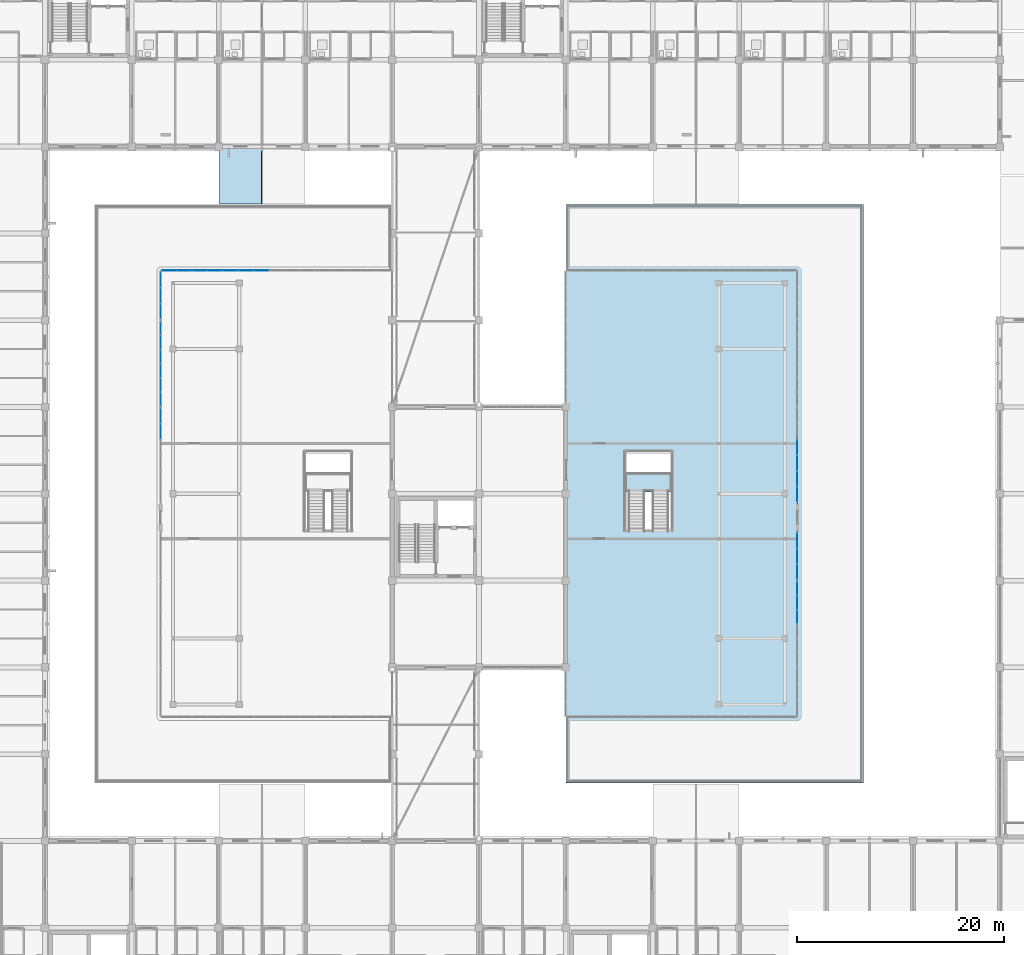
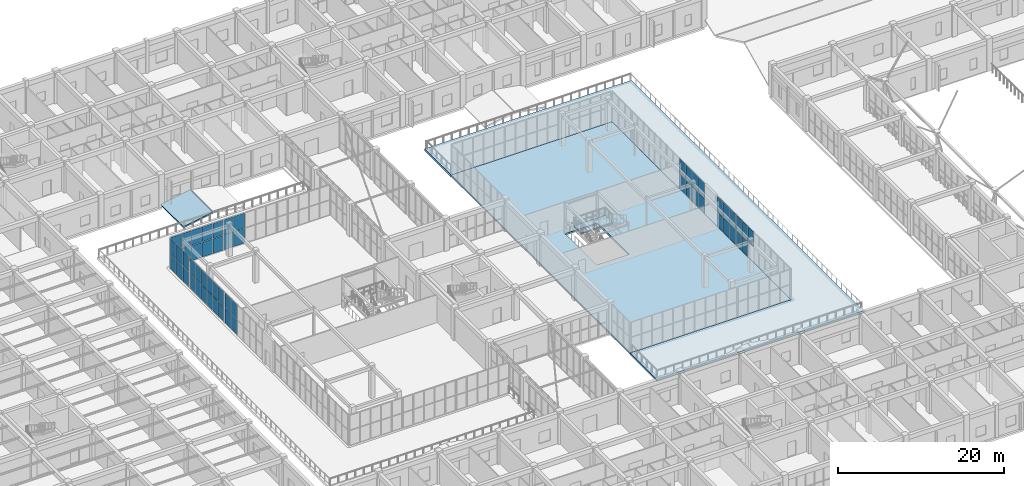
# One storey, part 106 of 158: 55 plates, 4 slabs, 9 elements without a shape of their own.
"""IFC4 building model written with IfcOpenShell, lengths in metres."""

from ifc_helpers import new_model, si_unit, direction, frame, origin, origin_2d, place, context, subcontext, project, spatial, polyline, rectangle, outline, extrude, material, layer, layer_set, type_object, element, aggregate, save


model = new_model("IFC4")

# Units and contexts
model_context = context("Model", 3, precision=1e-05, world=origin(), true_north=direction((0.0, 1.0)))
body_context = subcontext(model_context, "Body", "Model", "MODEL_VIEW")
ifc_project = project(units=[si_unit("LENGTHUNIT", "METRE"), si_unit("AREAUNIT", "SQUARE_METRE"), si_unit("VOLUMEUNIT", "CUBIC_METRE"), si_unit("PLANEANGLEUNIT", "RADIAN"), si_unit("MASSUNIT", "GRAM", prefix="KILO")], contexts=[model_context])

# Site, building, storey
site_placement = place(None, origin())
site = spatial("IfcSite", under=ifc_project, at=site_placement, CompositionType="ELEMENT")
building_placement = place(site_placement, origin())
building = spatial("IfcBuilding", under=site, at=building_placement, Name="Trelvath General Hospital", CompositionType="ELEMENT")
storey_placement = place(building_placement, frame((0.0, 0.0, 8.10009765625)))
storey = spatial("IfcBuildingStorey", under=building, at=storey_placement, Name="L02", CompositionType="ELEMENT", Elevation=8.10009765625)

# Curtain wall, plates
ifc_material_1 = material(Name="Anodised aluminium and low-E glass", Category="aluminium")
ifc_layer_1 = layer(ifc_material_1, 0.139892578125)
ifc_layer_set_1 = layer_set([ifc_layer_1], Name="Anodised aluminium and low-E glass")
curtain_wall_type_1 = type_object("IfcCurtainWallType", Name="CW CrystalCube 737 456 14", PredefinedType="USERDEFINED", material=ifc_layer_set_1)
curtain_wall_1_placement = place(storey_placement, origin())
curtain_wall_1 = element("IfcCurtainWall", 1, at=curtain_wall_1_placement, inside=storey, type_object=curtain_wall_type_1, Name="Crystal Cube Curtain Wall CUBE-W-T1 N1 L02", ObjectType="Unitised Glazed Curtain Wall", PredefinedType="USERDEFINED")
ifc_material_2 = material(Name="Low-E laminated glass", Category="glass")
ifc_layer_2 = layer(ifc_material_2, 0.028076171875)
ifc_layer_set_2 = layer_set([ifc_layer_2], Name="Low-E laminated glass")
plate_type = type_object("IfcPlateType", Name="CurtainPanel Glass28", PredefinedType="CURTAIN_PANEL", material=ifc_layer_set_2)
plate_1_placement = place(storey_placement, frame((54.03173828125, 80.39990234375, 0.059814453125), z_axis=(0.0, 0.0, 1.0), x_axis=(1.0, 0.0, 0.0)))
plate_1 = element("IfcPlate", 2, at=plate_1_placement, type_object=plate_type, Name="CW-193 panel 1.1", PredefinedType="CURTAIN_PANEL", context=body_context, shape_type="SweptSolid", body=[
    extrude(rectangle(XDim=1.38330078125, YDim=0.028076171875, at=origin_2d()), origin(), (0.0, 0.0, 1.0), 2.18994140625),
])
plate_2_placement = place(storey_placement, frame((54.03173828125, 80.39990234375, 2.309814453125), z_axis=(0.0, 0.0, 1.0), x_axis=(1.0, 0.0, 0.0)))
plate_2 = element("IfcPlate", 3, at=plate_2_placement, type_object=plate_type, Name="CW-193 panel 1.2", PredefinedType="CURTAIN_PANEL", context=body_context, shape_type="SweptSolid", body=[
    extrude(rectangle(XDim=1.38330078125, YDim=0.028076171875, at=origin_2d()), origin(), (0.0, 0.0, 1.0), 2.18994140625),
])
plate_3_placement = place(storey_placement, frame((55.489990234375, 80.39990234375, 0.059814453125), z_axis=(0.0, 0.0, 1.0), x_axis=(1.0, 0.0, 0.0)))
plate_3 = element("IfcPlate", 4, at=plate_3_placement, type_object=plate_type, Name="CW-193 panel 2.1", PredefinedType="CURTAIN_PANEL", context=body_context, shape_type="SweptSolid", body=[
    extrude(rectangle(XDim=1.413330078125, YDim=0.028076171875, at=origin_2d()), origin(), (0.0, 0.0, 1.0), 2.18994140625),
])
plate_4_placement = place(storey_placement, frame((55.489990234375, 80.39990234375, 2.309814453125), z_axis=(0.0, 0.0, 1.0), x_axis=(1.0, 0.0, 0.0)))
plate_4 = element("IfcPlate", 5, at=plate_4_placement, type_object=plate_type, Name="CW-193 panel 2.2", PredefinedType="CURTAIN_PANEL", context=body_context, shape_type="SweptSolid", body=[
    extrude(rectangle(XDim=1.413330078125, YDim=0.028076171875, at=origin_2d()), origin(), (0.0, 0.0, 1.0), 2.18994140625),
])
plate_5_placement = place(storey_placement, frame((56.96337890625, 80.39990234375, 0.059814453125), z_axis=(0.0, 0.0, 1.0), x_axis=(1.0, 0.0, 0.0)))
plate_5 = element("IfcPlate", 6, at=plate_5_placement, type_object=plate_type, Name="CW-193 panel 3.1", PredefinedType="CURTAIN_PANEL", context=body_context, shape_type="SweptSolid", body=[
    extrude(rectangle(XDim=1.413330078125, YDim=0.028076171875, at=origin_2d()), origin(), (0.0, 0.0, 1.0), 2.18994140625),
])
plate_6_placement = place(storey_placement, frame((56.96337890625, 80.39990234375, 2.309814453125), z_axis=(0.0, 0.0, 1.0), x_axis=(1.0, 0.0, 0.0)))
plate_6 = element("IfcPlate", 7, at=plate_6_placement, type_object=plate_type, Name="CW-193 panel 3.2", PredefinedType="CURTAIN_PANEL", context=body_context, shape_type="SweptSolid", body=[
    extrude(rectangle(XDim=1.413330078125, YDim=0.028076171875, at=origin_2d()), origin(), (0.0, 0.0, 1.0), 2.18994140625),
])
plate_7_placement = place(storey_placement, frame((58.436767578125, 80.39990234375, 0.059814453125), z_axis=(0.0, 0.0, 1.0), x_axis=(1.0, 0.0, 0.0)))
plate_7 = element("IfcPlate", 8, at=plate_7_placement, type_object=plate_type, Name="CW-193 panel 4.1", PredefinedType="CURTAIN_PANEL", context=body_context, shape_type="SweptSolid", body=[
    extrude(rectangle(XDim=1.413330078125, YDim=0.028076171875, at=origin_2d()), origin(), (0.0, 0.0, 1.0), 2.18994140625),
])
plate_8_placement = place(storey_placement, frame((58.436767578125, 80.39990234375, 2.309814453125), z_axis=(0.0, 0.0, 1.0), x_axis=(1.0, 0.0, 0.0)))
plate_8 = element("IfcPlate", 9, at=plate_8_placement, type_object=plate_type, Name="CW-193 panel 4.2", PredefinedType="CURTAIN_PANEL", context=body_context, shape_type="SweptSolid", body=[
    extrude(rectangle(XDim=1.413330078125, YDim=0.028076171875, at=origin_2d()), origin(), (0.0, 0.0, 1.0), 2.18994140625),
])
plate_9_placement = place(storey_placement, frame((59.89501953125, 80.39990234375, 0.059814453125), z_axis=(0.0, 0.0, 1.0), x_axis=(1.0, 0.0, 0.0)))
plate_9 = element("IfcPlate", 10, at=plate_9_placement, type_object=plate_type, Name="CW-193 panel 5.1", PredefinedType="CURTAIN_PANEL", context=body_context, shape_type="SweptSolid", body=[
    extrude(rectangle(XDim=1.38330078125, YDim=0.028076171875, at=origin_2d()), origin(), (0.0, 0.0, 1.0), 2.18994140625),
])
plate_10_placement = place(storey_placement, frame((59.89501953125, 80.39990234375, 2.309814453125), z_axis=(0.0, 0.0, 1.0), x_axis=(1.0, 0.0, 0.0)))
plate_10 = element("IfcPlate", 11, at=plate_10_placement, type_object=plate_type, Name="CW-193 panel 5.2", PredefinedType="CURTAIN_PANEL", context=body_context, shape_type="SweptSolid", body=[
    extrude(rectangle(XDim=1.38330078125, YDim=0.028076171875, at=origin_2d()), origin(), (0.0, 0.0, 1.0), 2.18994140625),
])
aggregate(curtain_wall_1, [plate_1, plate_2, plate_3, plate_4, plate_5, plate_6, plate_7, plate_8, plate_9, plate_10])

ifc_material_3 = material(Name="Anodised aluminium and low-E glass", Category="aluminium")
ifc_layer_3 = layer(ifc_material_3, 0.139892578125)
ifc_layer_set_3 = layer_set([ifc_layer_3], Name="Anodised aluminium and low-E glass")
curtain_wall_type_2 = type_object("IfcCurtainWallType", Name="CW CrystalCube 743 456 14", PredefinedType="USERDEFINED", material=ifc_layer_set_3)
curtain_wall_2_placement = place(storey_placement, origin())
curtain_wall_2 = element("IfcCurtainWall", 12, at=curtain_wall_2_placement, inside=storey, type_object=curtain_wall_type_2, Name="Crystal Cube Curtain Wall CUBE-W-T1 N2 L02", ObjectType="Unitised Glazed Curtain Wall", PredefinedType="USERDEFINED")
plate_11_placement = place(storey_placement, frame((61.4443359375, 80.39990234375, 0.059814453125), z_axis=(0.0, 0.0, 1.0), x_axis=(1.0, 0.0, 0.0)))
plate_11 = element("IfcPlate", 13, at=plate_11_placement, type_object=plate_type, Name="CW-194 panel 1.1", PredefinedType="CURTAIN_PANEL", context=body_context, shape_type="SweptSolid", body=[
    extrude(rectangle(XDim=1.395263671875, YDim=0.028076171875, at=origin_2d()), origin(), (0.0, 0.0, 1.0), 2.18994140625),
])
plate_12_placement = place(storey_placement, frame((61.4443359375, 80.39990234375, 2.309814453125), z_axis=(0.0, 0.0, 1.0), x_axis=(1.0, 0.0, 0.0)))
plate_12 = element("IfcPlate", 14, at=plate_12_placement, type_object=plate_type, Name="CW-194 panel 1.2", PredefinedType="CURTAIN_PANEL", context=body_context, shape_type="SweptSolid", body=[
    extrude(rectangle(XDim=1.395263671875, YDim=0.028076171875, at=origin_2d()), origin(), (0.0, 0.0, 1.0), 2.18994140625),
])
plate_13_placement = place(storey_placement, frame((62.914794921875, 80.39990234375, 0.059814453125), z_axis=(0.0, 0.0, 1.0), x_axis=(1.0, 0.0, 0.0)))
plate_13 = element("IfcPlate", 15, at=plate_13_placement, type_object=plate_type, Name="CW-194 panel 2.1", PredefinedType="CURTAIN_PANEL", context=body_context, shape_type="SweptSolid", body=[
    extrude(rectangle(XDim=1.42529296875, YDim=0.028076171875, at=origin_2d()), origin(), (0.0, 0.0, 1.0), 2.18994140625),
])
plate_14_placement = place(storey_placement, frame((62.914794921875, 80.39990234375, 2.309814453125), z_axis=(0.0, 0.0, 1.0), x_axis=(1.0, 0.0, 0.0)))
plate_14 = element("IfcPlate", 16, at=plate_14_placement, type_object=plate_type, Name="CW-194 panel 2.2", PredefinedType="CURTAIN_PANEL", context=body_context, shape_type="SweptSolid", body=[
    extrude(rectangle(XDim=1.42529296875, YDim=0.028076171875, at=origin_2d()), origin(), (0.0, 0.0, 1.0), 2.18994140625),
])
aggregate(curtain_wall_2, [plate_11, plate_12, plate_13, plate_14])

ifc_material_4 = material(Name="Anodised aluminium and low-E glass", Category="aluminium")
ifc_layer_4 = layer(ifc_material_4, 0.139892578125)
ifc_layer_set_4 = layer_set([ifc_layer_4], Name="Anodised aluminium and low-E glass")
curtain_wall_type_3 = type_object("IfcCurtainWallType", Name="CW CrystalCube 914 456 14", PredefinedType="USERDEFINED", material=ifc_layer_set_4)
curtain_wall_3_placement = place(storey_placement, origin())
curtain_wall_3 = element("IfcCurtainWall", 17, at=curtain_wall_3_placement, inside=storey, type_object=curtain_wall_type_3, Name="Crystal Cube Curtain Wall CUBE-W-T1 W5 L02", ObjectType="Unitised Glazed Curtain Wall", PredefinedType="USERDEFINED")
plate_15_placement = place(storey_placement, frame((53.199951171875, 64.8349609375, 0.059814453125), z_axis=(0.0, 0.0, 1.0), x_axis=(0.0, 1.0, 0.0)))
plate_15 = element("IfcPlate", 18, at=plate_15_placement, type_object=plate_type, Name="CW-200 panel 5.1", PredefinedType="CURTAIN_PANEL", context=body_context, shape_type="SweptSolid", body=[
    extrude(rectangle(XDim=1.46337890625, YDim=0.028076171875, at=origin_2d()), origin(), (0.0, 0.0, 1.0), 2.18994140625),
])
plate_16_placement = place(storey_placement, frame((53.199951171875, 64.8349609375, 2.309814453125), z_axis=(0.0, 0.0, 1.0), x_axis=(0.0, 1.0, 0.0)))
plate_16 = element("IfcPlate", 19, at=plate_16_placement, type_object=plate_type, Name="CW-200 panel 5.2", PredefinedType="CURTAIN_PANEL", context=body_context, shape_type="SweptSolid", body=[
    extrude(rectangle(XDim=1.46337890625, YDim=0.028076171875, at=origin_2d()), origin(), (0.0, 0.0, 1.0), 2.18994140625),
])
plate_17_placement = place(storey_placement, frame((53.199951171875, 66.34326171875, 0.059814453125), z_axis=(0.0, 0.0, 1.0), x_axis=(0.0, 1.0, 0.0)))
plate_17 = element("IfcPlate", 20, at=plate_17_placement, type_object=plate_type, Name="CW-200 panel 6.1", PredefinedType="CURTAIN_PANEL", context=body_context, shape_type="SweptSolid", body=[
    extrude(rectangle(XDim=1.433349609375, YDim=0.028076171875, at=origin_2d()), origin(), (0.0, 0.0, 1.0), 2.18994140625),
])
plate_18_placement = place(storey_placement, frame((53.199951171875, 66.34326171875, 2.309814453125), z_axis=(0.0, 0.0, 1.0), x_axis=(0.0, 1.0, 0.0)))
plate_18 = element("IfcPlate", 21, at=plate_18_placement, type_object=plate_type, Name="CW-200 panel 6.2", PredefinedType="CURTAIN_PANEL", context=body_context, shape_type="SweptSolid", body=[
    extrude(rectangle(XDim=1.433349609375, YDim=0.028076171875, at=origin_2d()), origin(), (0.0, 0.0, 1.0), 2.18994140625),
])
aggregate(curtain_wall_3, [plate_15, plate_16, plate_17, plate_18])

ifc_material_5 = material(Name="Anodised aluminium and low-E glass", Category="aluminium")
ifc_layer_5 = layer(ifc_material_5, 0.139892578125)
ifc_layer_set_5 = layer_set([ifc_layer_5], Name="Anodised aluminium and low-E glass")
curtain_wall_type_4 = type_object("IfcCurtainWallType", Name="CW CrystalCube 824 456 14", PredefinedType="USERDEFINED", material=ifc_layer_set_5)
curtain_wall_4_placement = place(storey_placement, origin())
curtain_wall_4 = element("IfcCurtainWall", 22, at=curtain_wall_4_placement, inside=storey, type_object=curtain_wall_type_4, Name="Crystal Cube Curtain Wall CUBE-W-T1 W6 L02", ObjectType="Unitised Glazed Curtain Wall", PredefinedType="USERDEFINED")
plate_19_placement = place(storey_placement, frame((53.199951171875, 67.981689453125, 0.059814453125), z_axis=(0.0, 0.0, 1.0), x_axis=(0.0, 1.0, 0.0)))
plate_19 = element("IfcPlate", 23, at=plate_19_placement, type_object=plate_type, Name="CW-201 panel 1.1", PredefinedType="CURTAIN_PANEL", context=body_context, shape_type="SweptSolid", body=[
    extrude(rectangle(XDim=1.283447265625, YDim=0.028076171875, at=origin_2d()), origin(), (0.0, 0.0, 1.0), 2.18994140625),
])
plate_20_placement = place(storey_placement, frame((53.199951171875, 67.981689453125, 2.309814453125), z_axis=(0.0, 0.0, 1.0), x_axis=(0.0, 1.0, 0.0)))
plate_20 = element("IfcPlate", 24, at=plate_20_placement, type_object=plate_type, Name="CW-201 panel 1.2", PredefinedType="CURTAIN_PANEL", context=body_context, shape_type="SweptSolid", body=[
    extrude(rectangle(XDim=1.283447265625, YDim=0.028076171875, at=origin_2d()), origin(), (0.0, 0.0, 1.0), 2.18994140625),
])
plate_21_placement = place(storey_placement, frame((53.199951171875, 69.340087890625, 0.059814453125), z_axis=(0.0, 0.0, 1.0), x_axis=(0.0, 1.0, 0.0)))
plate_21 = element("IfcPlate", 25, at=plate_21_placement, type_object=plate_type, Name="CW-201 panel 2.1", PredefinedType="CURTAIN_PANEL", context=body_context, shape_type="SweptSolid", body=[
    extrude(rectangle(XDim=1.313232421875, YDim=0.028076171875, at=origin_2d()), origin(), (0.0, 0.0, 1.0), 2.18994140625),
])
plate_22_placement = place(storey_placement, frame((53.199951171875, 69.340087890625, 2.309814453125), z_axis=(0.0, 0.0, 1.0), x_axis=(0.0, 1.0, 0.0)))
plate_22 = element("IfcPlate", 26, at=plate_22_placement, type_object=plate_type, Name="CW-201 panel 2.2", PredefinedType="CURTAIN_PANEL", context=body_context, shape_type="SweptSolid", body=[
    extrude(rectangle(XDim=1.313232421875, YDim=0.028076171875, at=origin_2d()), origin(), (0.0, 0.0, 1.0), 2.18994140625),
])
plate_23_placement = place(storey_placement, frame((53.199951171875, 70.71337890625, 0.059814453125), z_axis=(0.0, 0.0, 1.0), x_axis=(0.0, 1.0, 0.0)))
plate_23 = element("IfcPlate", 27, at=plate_23_placement, type_object=plate_type, Name="CW-201 panel 3.1", PredefinedType="CURTAIN_PANEL", context=body_context, shape_type="SweptSolid", body=[
    extrude(rectangle(XDim=1.313232421875, YDim=0.028076171875, at=origin_2d()), origin(), (0.0, 0.0, 1.0), 2.18994140625),
])
plate_24_placement = place(storey_placement, frame((53.199951171875, 70.71337890625, 2.309814453125), z_axis=(0.0, 0.0, 1.0), x_axis=(0.0, 1.0, 0.0)))
plate_24 = element("IfcPlate", 28, at=plate_24_placement, type_object=plate_type, Name="CW-201 panel 3.2", PredefinedType="CURTAIN_PANEL", context=body_context, shape_type="SweptSolid", body=[
    extrude(rectangle(XDim=1.313232421875, YDim=0.028076171875, at=origin_2d()), origin(), (0.0, 0.0, 1.0), 2.18994140625),
])
plate_25_placement = place(storey_placement, frame((53.199951171875, 72.086669921875, 0.059814453125), z_axis=(0.0, 0.0, 1.0), x_axis=(0.0, 1.0, 0.0)))
plate_25 = element("IfcPlate", 29, at=plate_25_placement, type_object=plate_type, Name="CW-201 panel 4.1", PredefinedType="CURTAIN_PANEL", context=body_context, shape_type="SweptSolid", body=[
    extrude(rectangle(XDim=1.313232421875, YDim=0.028076171875, at=origin_2d()), origin(), (0.0, 0.0, 1.0), 2.18994140625),
])
plate_26_placement = place(storey_placement, frame((53.199951171875, 72.086669921875, 2.309814453125), z_axis=(0.0, 0.0, 1.0), x_axis=(0.0, 1.0, 0.0)))
plate_26 = element("IfcPlate", 30, at=plate_26_placement, type_object=plate_type, Name="CW-201 panel 4.2", PredefinedType="CURTAIN_PANEL", context=body_context, shape_type="SweptSolid", body=[
    extrude(rectangle(XDim=1.313232421875, YDim=0.028076171875, at=origin_2d()), origin(), (0.0, 0.0, 1.0), 2.18994140625),
])
plate_27_placement = place(storey_placement, frame((53.199951171875, 73.4599609375, 0.059814453125), z_axis=(0.0, 0.0, 1.0), x_axis=(0.0, 1.0, 0.0)))
plate_27 = element("IfcPlate", 31, at=plate_27_placement, type_object=plate_type, Name="CW-201 panel 5.1", PredefinedType="CURTAIN_PANEL", context=body_context, shape_type="SweptSolid", body=[
    extrude(rectangle(XDim=1.313232421875, YDim=0.028076171875, at=origin_2d()), origin(), (0.0, 0.0, 1.0), 2.18994140625),
])
plate_28_placement = place(storey_placement, frame((53.199951171875, 73.4599609375, 2.309814453125), z_axis=(0.0, 0.0, 1.0), x_axis=(0.0, 1.0, 0.0)))
plate_28 = element("IfcPlate", 32, at=plate_28_placement, type_object=plate_type, Name="CW-201 panel 5.2", PredefinedType="CURTAIN_PANEL", context=body_context, shape_type="SweptSolid", body=[
    extrude(rectangle(XDim=1.313232421875, YDim=0.028076171875, at=origin_2d()), origin(), (0.0, 0.0, 1.0), 2.18994140625),
])
plate_29_placement = place(storey_placement, frame((53.199951171875, 74.818359375, 0.059814453125), z_axis=(0.0, 0.0, 1.0), x_axis=(0.0, 1.0, 0.0)))
plate_29 = element("IfcPlate", 33, at=plate_29_placement, type_object=plate_type, Name="CW-201 panel 6.1", PredefinedType="CURTAIN_PANEL", context=body_context, shape_type="SweptSolid", body=[
    extrude(rectangle(XDim=1.283447265625, YDim=0.028076171875, at=origin_2d()), origin(), (0.0, 0.0, 1.0), 2.18994140625),
])
plate_30_placement = place(storey_placement, frame((53.199951171875, 74.818359375, 2.309814453125), z_axis=(0.0, 0.0, 1.0), x_axis=(0.0, 1.0, 0.0)))
plate_30 = element("IfcPlate", 34, at=plate_30_placement, type_object=plate_type, Name="CW-201 panel 6.2", PredefinedType="CURTAIN_PANEL", context=body_context, shape_type="SweptSolid", body=[
    extrude(rectangle(XDim=1.283447265625, YDim=0.028076171875, at=origin_2d()), origin(), (0.0, 0.0, 1.0), 2.18994140625),
])
aggregate(curtain_wall_4, [plate_19, plate_20, plate_21, plate_22, plate_23, plate_24, plate_25, plate_26, plate_27, plate_28, plate_29, plate_30])

ifc_material_6 = material(Name="Anodised aluminium and low-E glass", Category="aluminium")
ifc_layer_6 = layer(ifc_material_6, 0.139892578125)
ifc_layer_set_6 = layer_set([ifc_layer_6], Name="Anodised aluminium and low-E glass")
curtain_wall_type_5 = type_object("IfcCurtainWallType", Name="CW CrystalCube 464 456 14", PredefinedType="USERDEFINED", material=ifc_layer_set_6)
curtain_wall_5_placement = place(storey_placement, origin())
curtain_wall_5 = element("IfcCurtainWall", 35, at=curtain_wall_5_placement, inside=storey, type_object=curtain_wall_type_5, Name="Crystal Cube Curtain Wall CUBE-W-T1 W7 L02", ObjectType="Unitised Glazed Curtain Wall", PredefinedType="USERDEFINED")
plate_31_placement = place(storey_placement, frame((53.199951171875, 76.46826171875, 0.059814453125), z_axis=(0.0, 0.0, 1.0), x_axis=(0.0, 1.0, 0.0)))
plate_31 = element("IfcPlate", 36, at=plate_31_placement, type_object=plate_type, Name="CW-203 panel 1.1", PredefinedType="CURTAIN_PANEL", context=body_context, shape_type="SweptSolid", body=[
    extrude(rectangle(XDim=1.456787109375, YDim=0.028076171875, at=origin_2d()), origin(), (0.0, 0.0, 1.0), 2.18994140625),
])
plate_32_placement = place(storey_placement, frame((53.199951171875, 76.46826171875, 2.309814453125), z_axis=(0.0, 0.0, 1.0), x_axis=(0.0, 1.0, 0.0)))
plate_32 = element("IfcPlate", 37, at=plate_32_placement, type_object=plate_type, Name="CW-203 panel 1.2", PredefinedType="CURTAIN_PANEL", context=body_context, shape_type="SweptSolid", body=[
    extrude(rectangle(XDim=1.456787109375, YDim=0.028076171875, at=origin_2d()), origin(), (0.0, 0.0, 1.0), 2.18994140625),
])
plate_33_placement = place(storey_placement, frame((53.199951171875, 78.0, 0.059814453125), z_axis=(0.0, 0.0, 1.0), x_axis=(0.0, 1.0, 0.0)))
plate_33 = element("IfcPlate", 38, at=plate_33_placement, type_object=plate_type, Name="CW-203 panel 2.1", PredefinedType="CURTAIN_PANEL", context=body_context, shape_type="SweptSolid", body=[
    extrude(rectangle(XDim=1.486572265625, YDim=0.028076171875, at=origin_2d()), origin(), (0.0, 0.0, 1.0), 2.18994140625),
])
plate_34_placement = place(storey_placement, frame((53.199951171875, 78.0, 2.309814453125), z_axis=(0.0, 0.0, 1.0), x_axis=(0.0, 1.0, 0.0)))
plate_34 = element("IfcPlate", 39, at=plate_34_placement, type_object=plate_type, Name="CW-203 panel 2.2", PredefinedType="CURTAIN_PANEL", context=body_context, shape_type="SweptSolid", body=[
    extrude(rectangle(XDim=1.486572265625, YDim=0.028076171875, at=origin_2d()), origin(), (0.0, 0.0, 1.0), 2.18994140625),
])
plate_35_placement = place(storey_placement, frame((53.199951171875, 79.53173828125, 0.059814453125), z_axis=(0.0, 0.0, 1.0), x_axis=(0.0, 1.0, 0.0)))
plate_35 = element("IfcPlate", 40, at=plate_35_placement, type_object=plate_type, Name="CW-203 panel 3.1", PredefinedType="CURTAIN_PANEL", context=body_context, shape_type="SweptSolid", body=[
    extrude(rectangle(XDim=1.456787109375, YDim=0.028076171875, at=origin_2d()), origin(), (0.0, 0.0, 1.0), 2.18994140625),
])
plate_36_placement = place(storey_placement, frame((53.199951171875, 79.53173828125, 2.309814453125), z_axis=(0.0, 0.0, 1.0), x_axis=(0.0, 1.0, 0.0)))
plate_36 = element("IfcPlate", 41, at=plate_36_placement, type_object=plate_type, Name="CW-203 panel 3.2", PredefinedType="CURTAIN_PANEL", context=body_context, shape_type="SweptSolid", body=[
    extrude(rectangle(XDim=1.456787109375, YDim=0.028076171875, at=origin_2d()), origin(), (0.0, 0.0, 1.0), 2.18994140625),
])
aggregate(curtain_wall_5, [plate_31, plate_32, plate_33, plate_34, plate_35, plate_36])

curtain_wall_6_placement = place(storey_placement, origin())
curtain_wall_6 = element("IfcCurtainWall", 42, at=curtain_wall_6_placement, inside=storey, type_object=curtain_wall_type_4, Name="Crystal Cube Curtain Wall CUBE-E-T1 E2 L02", ObjectType="Unitised Glazed Curtain Wall", PredefinedType="USERDEFINED")
plate_37_placement = place(storey_placement, frame((114.800048828125, 49.618408203125, 0.059814453125), z_axis=(0.0, 0.0, 1.0), x_axis=(0.0, -1.0, 0.0)))
plate_37 = element("IfcPlate", 43, at=plate_37_placement, type_object=plate_type, Name="CW-213 panel 1.1", PredefinedType="CURTAIN_PANEL", context=body_context, shape_type="SweptSolid", body=[
    extrude(rectangle(XDim=1.283447265625, YDim=0.028076171875, at=origin_2d()), origin(), (0.0, 0.0, 1.0), 2.18994140625),
])
plate_38_placement = place(storey_placement, frame((114.800048828125, 49.618408203125, 2.309814453125), z_axis=(0.0, 0.0, 1.0), x_axis=(0.0, -1.0, 0.0)))
plate_38 = element("IfcPlate", 44, at=plate_38_placement, type_object=plate_type, Name="CW-213 panel 1.2", PredefinedType="CURTAIN_PANEL", context=body_context, shape_type="SweptSolid", body=[
    extrude(rectangle(XDim=1.283447265625, YDim=0.028076171875, at=origin_2d()), origin(), (0.0, 0.0, 1.0), 2.18994140625),
])
plate_39_placement = place(storey_placement, frame((114.800048828125, 48.260009765625, 0.059814453125), z_axis=(0.0, 0.0, 1.0), x_axis=(0.0, -1.0, 0.0)))
plate_39 = element("IfcPlate", 45, at=plate_39_placement, type_object=plate_type, Name="CW-213 panel 2.1", PredefinedType="CURTAIN_PANEL", context=body_context, shape_type="SweptSolid", body=[
    extrude(rectangle(XDim=1.313232421875, YDim=0.028076171875, at=origin_2d()), origin(), (0.0, 0.0, 1.0), 2.18994140625),
])
plate_40_placement = place(storey_placement, frame((114.800048828125, 48.260009765625, 2.309814453125), z_axis=(0.0, 0.0, 1.0), x_axis=(0.0, -1.0, 0.0)))
plate_40 = element("IfcPlate", 46, at=plate_40_placement, type_object=plate_type, Name="CW-213 panel 2.2", PredefinedType="CURTAIN_PANEL", context=body_context, shape_type="SweptSolid", body=[
    extrude(rectangle(XDim=1.313232421875, YDim=0.028076171875, at=origin_2d()), origin(), (0.0, 0.0, 1.0), 2.18994140625),
])
plate_41_placement = place(storey_placement, frame((114.800048828125, 46.88671875, 2.309814453125), z_axis=(0.0, 0.0, 1.0), x_axis=(0.0, -1.0, 0.0)))
plate_41 = element("IfcPlate", 47, at=plate_41_placement, type_object=plate_type, Name="CW-213 panel 3.2", PredefinedType="CURTAIN_PANEL", context=body_context, shape_type="SweptSolid", body=[
    extrude(rectangle(XDim=1.313232421875, YDim=0.028076171875, at=origin_2d()), origin(), (0.0, 0.0, 1.0), 2.18994140625),
])
aggregate(curtain_wall_6, [plate_37, plate_38, plate_39, plate_40, plate_41])

ifc_material_7 = material(Name="Anodised aluminium and low-E glass", Category="aluminium")
ifc_layer_7 = layer(ifc_material_7, 0.139892578125)
ifc_layer_set_7 = layer_set([ifc_layer_7], Name="Anodised aluminium and low-E glass")
curtain_wall_type_6 = type_object("IfcCurtainWallType", Name="CW CrystalCube 454 456 14", PredefinedType="USERDEFINED", material=ifc_layer_set_7)
curtain_wall_7_placement = place(storey_placement, origin())
curtain_wall_7 = element("IfcCurtainWall", 48, at=curtain_wall_7_placement, inside=storey, type_object=curtain_wall_type_6, Name="Crystal Cube Curtain Wall CUBE-E-T1 E3 L02", ObjectType="Unitised Glazed Curtain Wall", PredefinedType="USERDEFINED")
plate_42_placement = place(storey_placement, frame((114.800048828125, 54.248291015625, 0.059814453125), z_axis=(0.0, 0.0, 1.0), x_axis=(0.0, -1.0, 0.0)))
plate_42 = element("IfcPlate", 49, at=plate_42_placement, type_object=plate_type, Name="CW-214 panel 1.1", PredefinedType="CURTAIN_PANEL", context=body_context, shape_type="SweptSolid", body=[
    extrude(rectangle(XDim=1.42333984375, YDim=0.028076171875, at=origin_2d()), origin(), (0.0, 0.0, 1.0), 2.18994140625),
])
plate_43_placement = place(storey_placement, frame((114.800048828125, 54.248291015625, 2.309814453125), z_axis=(0.0, 0.0, 1.0), x_axis=(0.0, -1.0, 0.0)))
plate_43 = element("IfcPlate", 50, at=plate_43_placement, type_object=plate_type, Name="CW-214 panel 1.2", PredefinedType="CURTAIN_PANEL", context=body_context, shape_type="SweptSolid", body=[
    extrude(rectangle(XDim=1.42333984375, YDim=0.028076171875, at=origin_2d()), origin(), (0.0, 0.0, 1.0), 2.18994140625),
])
plate_44_placement = place(storey_placement, frame((114.800048828125, 52.75, 0.059814453125), z_axis=(0.0, 0.0, 1.0), x_axis=(0.0, -1.0, 0.0)))
plate_44 = element("IfcPlate", 51, at=plate_44_placement, type_object=plate_type, Name="CW-214 panel 2.1", PredefinedType="CURTAIN_PANEL", context=body_context, shape_type="SweptSolid", body=[
    extrude(rectangle(XDim=1.453369140625, YDim=0.028076171875, at=origin_2d()), origin(), (0.0, 0.0, 1.0), 2.18994140625),
])
plate_45_placement = place(storey_placement, frame((114.800048828125, 52.75, 2.309814453125), z_axis=(0.0, 0.0, 1.0), x_axis=(0.0, -1.0, 0.0)))
plate_45 = element("IfcPlate", 52, at=plate_45_placement, type_object=plate_type, Name="CW-214 panel 2.2", PredefinedType="CURTAIN_PANEL", context=body_context, shape_type="SweptSolid", body=[
    extrude(rectangle(XDim=1.453369140625, YDim=0.028076171875, at=origin_2d()), origin(), (0.0, 0.0, 1.0), 2.18994140625),
])
plate_46_placement = place(storey_placement, frame((114.800048828125, 51.251708984375, 0.059814453125), z_axis=(0.0, 0.0, 1.0), x_axis=(0.0, -1.0, 0.0)))
plate_46 = element("IfcPlate", 53, at=plate_46_placement, type_object=plate_type, Name="CW-214 panel 3.1", PredefinedType="CURTAIN_PANEL", context=body_context, shape_type="SweptSolid", body=[
    extrude(rectangle(XDim=1.42333984375, YDim=0.028076171875, at=origin_2d()), origin(), (0.0, 0.0, 1.0), 2.18994140625),
])
plate_47_placement = place(storey_placement, frame((114.800048828125, 51.251708984375, 2.309814453125), z_axis=(0.0, 0.0, 1.0), x_axis=(0.0, -1.0, 0.0)))
plate_47 = element("IfcPlate", 54, at=plate_47_placement, type_object=plate_type, Name="CW-214 panel 3.2", PredefinedType="CURTAIN_PANEL", context=body_context, shape_type="SweptSolid", body=[
    extrude(rectangle(XDim=1.42333984375, YDim=0.028076171875, at=origin_2d()), origin(), (0.0, 0.0, 1.0), 2.18994140625),
])
aggregate(curtain_wall_7, [plate_42, plate_43, plate_44, plate_45, plate_46, plate_47])

curtain_wall_8_placement = place(storey_placement, origin())
curtain_wall_8 = element("IfcCurtainWall", 55, at=curtain_wall_8_placement, inside=storey, type_object=curtain_wall_type_3, Name="Crystal Cube Curtain Wall CUBE-E-T1 E5 L02", ObjectType="Unitised Glazed Curtain Wall", PredefinedType="USERDEFINED")
plate_48_placement = place(storey_placement, frame((114.800048828125, 63.311767578125, 0.059814453125), z_axis=(0.0, 0.0, 1.0), x_axis=(0.0, -1.0, 0.0)))
plate_48 = element("IfcPlate", 56, at=plate_48_placement, type_object=plate_type, Name="CW-215 panel 3.1", PredefinedType="CURTAIN_PANEL", context=body_context, shape_type="SweptSolid", body=[
    extrude(rectangle(XDim=1.46337890625, YDim=0.028076171875, at=origin_2d()), origin(), (0.0, 0.0, 1.0), 2.18994140625),
])
plate_49_placement = place(storey_placement, frame((114.800048828125, 63.311767578125, 2.309814453125), z_axis=(0.0, 0.0, 1.0), x_axis=(0.0, -1.0, 0.0)))
plate_49 = element("IfcPlate", 57, at=plate_49_placement, type_object=plate_type, Name="CW-215 panel 3.2", PredefinedType="CURTAIN_PANEL", context=body_context, shape_type="SweptSolid", body=[
    extrude(rectangle(XDim=1.46337890625, YDim=0.028076171875, at=origin_2d()), origin(), (0.0, 0.0, 1.0), 2.18994140625),
])
plate_50_placement = place(storey_placement, frame((114.800048828125, 61.788330078125, 0.059814453125), z_axis=(0.0, 0.0, 1.0), x_axis=(0.0, -1.0, 0.0)))
plate_50 = element("IfcPlate", 58, at=plate_50_placement, type_object=plate_type, Name="CW-215 panel 4.1", PredefinedType="CURTAIN_PANEL", context=body_context, shape_type="SweptSolid", body=[
    extrude(rectangle(XDim=1.46337890625, YDim=0.028076171875, at=origin_2d()), origin(), (0.0, 0.0, 1.0), 2.18994140625),
])
plate_51_placement = place(storey_placement, frame((114.800048828125, 61.788330078125, 2.309814453125), z_axis=(0.0, 0.0, 1.0), x_axis=(0.0, -1.0, 0.0)))
plate_51 = element("IfcPlate", 59, at=plate_51_placement, type_object=plate_type, Name="CW-215 panel 4.2", PredefinedType="CURTAIN_PANEL", context=body_context, shape_type="SweptSolid", body=[
    extrude(rectangle(XDim=1.46337890625, YDim=0.028076171875, at=origin_2d()), origin(), (0.0, 0.0, 1.0), 2.18994140625),
])
plate_52_placement = place(storey_placement, frame((114.800048828125, 60.264892578125, 0.059814453125), z_axis=(0.0, 0.0, 1.0), x_axis=(0.0, -1.0, 0.0)))
plate_52 = element("IfcPlate", 60, at=plate_52_placement, type_object=plate_type, Name="CW-215 panel 5.1", PredefinedType="CURTAIN_PANEL", context=body_context, shape_type="SweptSolid", body=[
    extrude(rectangle(XDim=1.46337890625, YDim=0.028076171875, at=origin_2d()), origin(), (0.0, 0.0, 1.0), 2.18994140625),
])
plate_53_placement = place(storey_placement, frame((114.800048828125, 60.264892578125, 2.309814453125), z_axis=(0.0, 0.0, 1.0), x_axis=(0.0, -1.0, 0.0)))
plate_53 = element("IfcPlate", 61, at=plate_53_placement, type_object=plate_type, Name="CW-215 panel 5.2", PredefinedType="CURTAIN_PANEL", context=body_context, shape_type="SweptSolid", body=[
    extrude(rectangle(XDim=1.46337890625, YDim=0.028076171875, at=origin_2d()), origin(), (0.0, 0.0, 1.0), 2.18994140625),
])
plate_54_placement = place(storey_placement, frame((114.800048828125, 58.756591796875, 0.059814453125), z_axis=(0.0, 0.0, 1.0), x_axis=(0.0, -1.0, 0.0)))
plate_54 = element("IfcPlate", 62, at=plate_54_placement, type_object=plate_type, Name="CW-215 panel 6.1", PredefinedType="CURTAIN_PANEL", context=body_context, shape_type="SweptSolid", body=[
    extrude(rectangle(XDim=1.433349609375, YDim=0.028076171875, at=origin_2d()), origin(), (0.0, 0.0, 1.0), 2.18994140625),
])
plate_55_placement = place(storey_placement, frame((114.800048828125, 58.756591796875, 2.309814453125), z_axis=(0.0, 0.0, 1.0), x_axis=(0.0, -1.0, 0.0)))
plate_55 = element("IfcPlate", 63, at=plate_55_placement, type_object=plate_type, Name="CW-215 panel 6.2", PredefinedType="CURTAIN_PANEL", context=body_context, shape_type="SweptSolid", body=[
    extrude(rectangle(XDim=1.433349609375, YDim=0.028076171875, at=origin_2d()), origin(), (0.0, 0.0, 1.0), 2.18994140625),
])
aggregate(curtain_wall_8, [plate_48, plate_49, plate_50, plate_51, plate_52, plate_53, plate_54, plate_55])

# Slabs
ifc_material_8 = material(Name="Concrete C35/45", Category="concrete")
ifc_layer_8 = layer(ifc_material_8, 0.239990234375)
ifc_layer_set_8 = layer_set([ifc_layer_8], Name="Concrete C35/45")
slab_type_1 = type_object("IfcSlabType", Name="FlatSlab Cube240", PredefinedType="FLOOR", material=ifc_layer_set_8)
slab_1_placement = place(storey_placement, frame((0.0, 0.0, -0.239990234375)))
element("IfcSlab", 64, at=slab_1_placement, inside=storey, type_object=slab_type_1, Name="Crystal Cube Slab CUBE-E-T1 L02", PredefinedType="FLOOR", context=body_context, shape_type="SweptSolid", body=[
    extrude(outline(polyline([(92.39990234375, 37.199951171875), (114.800048828125, 37.199951171875), (114.800048828125, 80.39990234375), (92.39990234375, 80.39990234375), (92.39990234375, 37.199951171875)]), holes=[polyline([(98.14990234375, 55.25), (102.64990234375, 55.25), (102.64990234375, 62.85009765625), (98.14990234375, 62.85009765625), (98.14990234375, 55.25)])]), origin(), (0.0, 0.0, 1.0), 0.239990234375),
])
ifc_material_9 = material(Name="Concrete C35/45", Category="concrete")
ifc_layer_9 = layer(ifc_material_9, 0.320068359375)
ifc_layer_set_9 = layer_set([ifc_layer_9], Name="Concrete C35/45")
slab_type_2 = type_object("IfcSlabType", Name="PlantedTerraceSlab 320", PredefinedType="ROOF", material=ifc_layer_set_9)
slab_2_placement = place(storey_placement, frame((0.0, 0.0, -0.320068359375)))
element("IfcSlab", 65, at=slab_2_placement, inside=storey, type_object=slab_type_2, Name="Crystal Cube Planted Terrace TERR-CE-U2 L02", PredefinedType="ROOF", context=body_context, shape_type="SweptSolid", body=[
    extrude(outline(polyline([(92.39990234375, 30.800048828125), (121.199951171875, 30.800048828125), (121.199951171875, 86.800048828125), (92.39990234375, 86.800048828125), (92.39990234375, 80.39990234375), (114.800048828125, 80.39990234375), (114.800048828125, 37.199951171875), (92.39990234375, 37.199951171875), (92.39990234375, 30.800048828125)])), origin(), (0.0, 0.0, 1.0), 0.320068359375),
])
ifc_material_10 = material(Name="Concrete C35/45", Category="concrete")
ifc_layer_10 = layer(ifc_material_10, 0.219970703125)
ifc_layer_set_10 = layer_set([ifc_layer_10], Name="Concrete C35/45")
slab_type_3 = type_object("IfcSlabType", Name="RoofSlab Folded220", PredefinedType="ROOF", material=ifc_layer_set_10)
slab_3_placement = place(storey_placement, frame((58.820068359375, 86.860107421875, 0.22998046875), z_axis=(-0.171741769029, 0.0, 0.985142002338), x_axis=(0.985142002338, 0.0, 0.171741769029)))
element("IfcSlab", 66, at=slab_3_placement, inside=storey, type_object=slab_type_3, Name="Glazed Bridge Gable Roof BRG-N-W W", PredefinedType="ROOF", context=body_context, shape_type="SweptSolid", body=[
    extrude(outline(polyline([(0.0, 0.0), (4.192170065531839, 0.0), (4.192170065531839, 5.47998046875), (0.0, 5.47998046875), (0.0, 0.0)])), origin(), (0.0, 0.0, -1.0), 0.219970703125),
])

# Stair, slab
ifc_material_11 = material(Name="Concrete C35/45", Category="concrete")
stair_type = type_object("IfcStairType", Name="Stair PublicCube480", PredefinedType="TWO_STRAIGHT_RUN_STAIR", material=ifc_material_11)
stair_placement = place(storey_placement, origin())
stair = element("IfcStair", 67, at=stair_placement, inside=storey, type_object=stair_type, Name="Public Cube Feature Stair ST10 L02", PredefinedType="TWO_STRAIGHT_RUN_STAIR")
ifc_material_12 = material(Name="Concrete C35/45", Category="concrete")
ifc_layer_11 = layer(ifc_material_12, 0.199951171875)
ifc_layer_set_11 = layer_set([ifc_layer_11], Name="Concrete C35/45")
slab_type_4 = type_object("IfcSlabType", Name="StairLanding 200", PredefinedType="LANDING", material=ifc_layer_set_11)
slab_4_placement = place(storey_placement, frame((0.0, 0.0, 2.199951171875)))
slab_4 = element("IfcSlab", 68, at=slab_4_placement, type_object=slab_type_4, Name="ST10-L02 landing 1", PredefinedType="LANDING", context=body_context, shape_type="SweptSolid", body=[
    extrude(outline(polyline([(98.199951171875, 58.989990234375), (102.60009765625, 58.989990234375), (102.60009765625, 60.820068359375), (98.199951171875, 60.820068359375), (98.199951171875, 58.989990234375)])), origin(), (0.0, 0.0, 1.0), 0.199951171875),
])
aggregate(stair, [slab_4])

save(model, "model.ifc")
